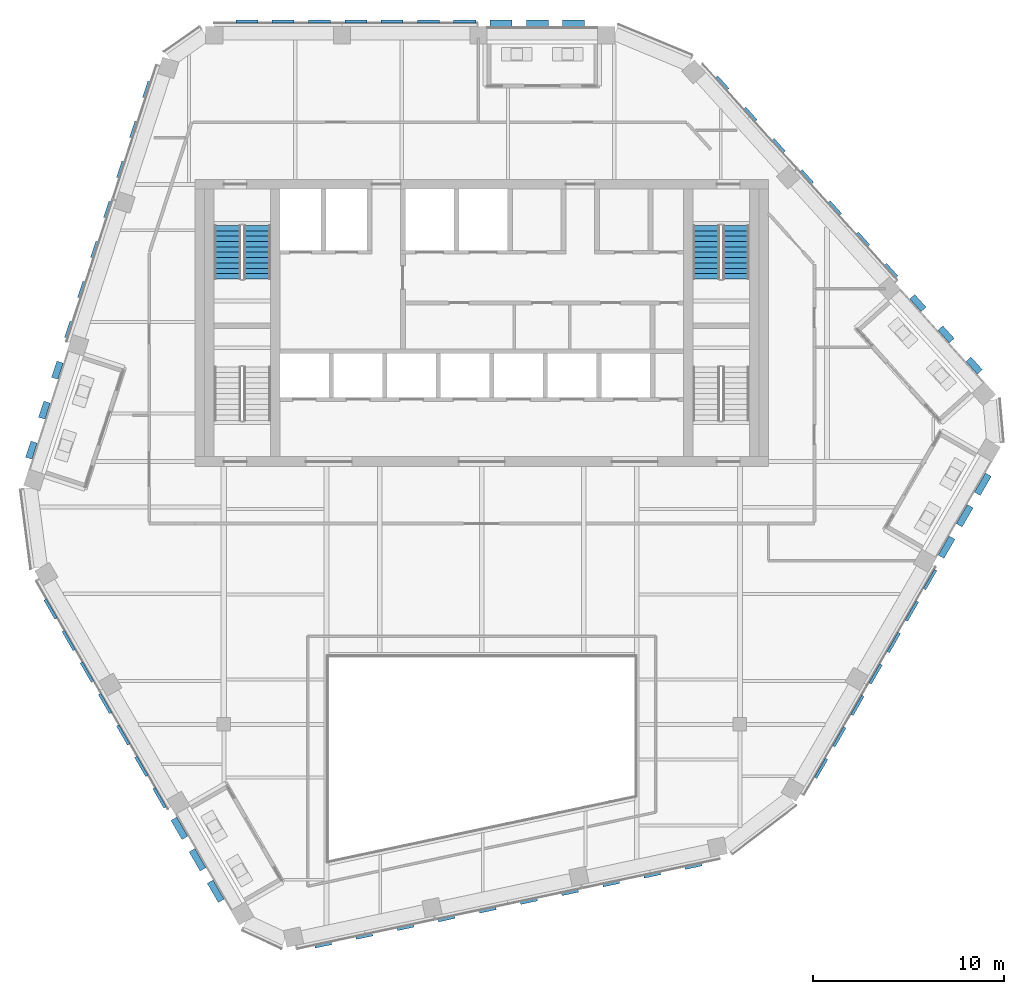
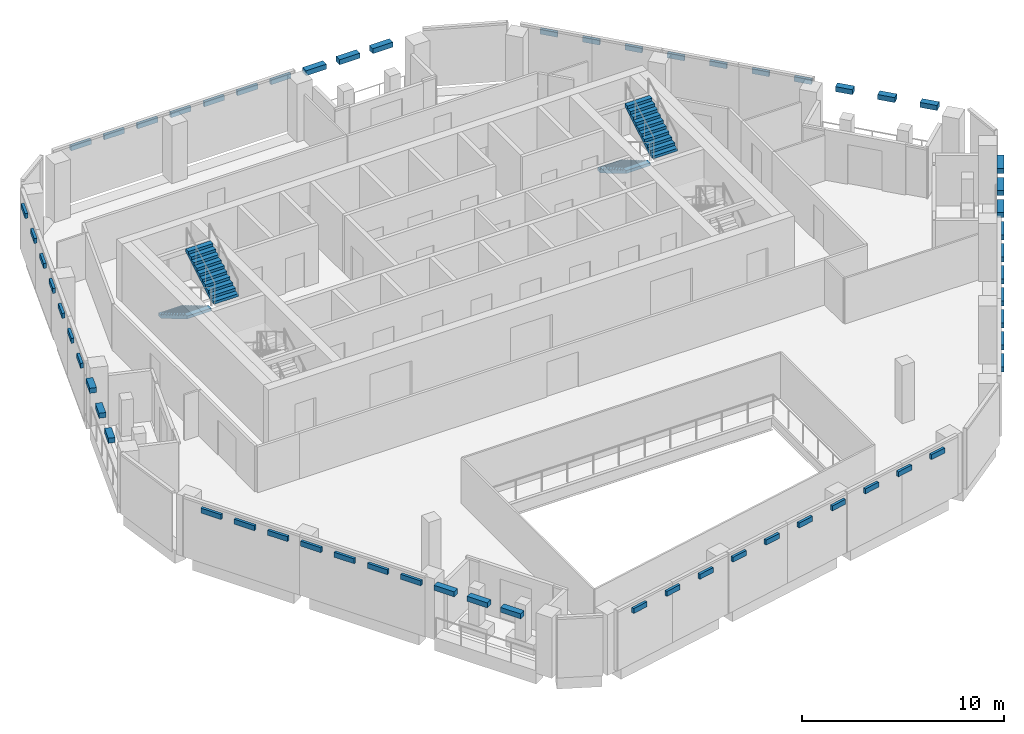
# One storey, part 16 of 22: 60 discrete accessories, 4 stair flights, 2 elements without a shape of their own.
"""IFC4 building model written with IfcOpenShell, lengths in metres."""

from ifc_helpers import new_model, si_unit, direction, frame, origin, origin_2d, place, context, subcontext, project, spatial, polyline, rectangle, outline, extrude, material, type_object, element, aggregate, save


model = new_model("IFC4")

# Units and contexts
model_context = context("Model", 3, precision=1e-05, world=origin(), true_north=direction((0.0, 1.0)))
body_context = subcontext(model_context, "Body", "Model", "MODEL_VIEW")
ifc_project = project(units=[si_unit("LENGTHUNIT", "METRE"), si_unit("AREAUNIT", "SQUARE_METRE"), si_unit("VOLUMEUNIT", "CUBIC_METRE"), si_unit("PLANEANGLEUNIT", "RADIAN"), si_unit("MASSUNIT", "GRAM", prefix="KILO")], contexts=[model_context])

# Site, building, storey
site_placement = place(None, origin())
site = spatial("IfcSite", under=ifc_project, at=site_placement, CompositionType="ELEMENT")
building_placement = place(site_placement, origin())
building = spatial("IfcBuilding", under=site, at=building_placement, Name="Isthmus Gate Tower", CompositionType="ELEMENT")
storey_placement = place(building_placement, frame((0.0, 0.0, 264.60009765625)))
storey = spatial("IfcBuildingStorey", under=building, at=storey_placement, Name="L67", CompositionType="ELEMENT", Elevation=264.60009765625)

# Stair, stair flights
ifc_material_1 = material(Name="Concrete f'c 40 MPa", Category="concrete")
stair_type = type_object("IfcStairType", Name="CORE STAIR 22 RISERS", PredefinedType="HALF_TURN_STAIR", material=ifc_material_1)
stair_1_placement = place(storey_placement, origin())
stair_1 = element("IfcStair", 1, at=stair_1_placement, inside=storey, type_object=stair_type, Name="L67 Exit Stair 1", PredefinedType="HALF_TURN_STAIR")
ifc_material_2 = material(Name="Concrete f'c 40 MPa", Category="concrete")
stair_flight_type = type_object("IfcStairFlightType", Name="STAIR FLIGHT RC 1400", PredefinedType="STRAIGHT", material=ifc_material_2)
stair_flight_1_placement = place(storey_placement, frame((-13.300048828125, 12.60009765625, 0.0), z_axis=(0.0, 0.0, 1.0), x_axis=(0.0, -1.0, 0.0)))
stair_flight_1 = element("IfcStairFlight", 2, at=stair_flight_1_placement, type_object=stair_flight_type, Name="ST1 flight 1", NumberOfRisers=11, NumberOfTreads=10, PredefinedType="STRAIGHT", RiserHeight=0.165909091, TreadLength=0.28, context=body_context, shape_type="SweptSolid", body=[
    extrude(outline(polyline([(0.0, 0.0), (0.0, 0.166015625), (0.280029296875, 0.166015625), (0.280029296875, 0.331787109375), (0.56005859375, 0.331787109375), (0.56005859375, 0.497802734375), (0.840087890625, 0.497802734375), (0.840087890625, 0.66357421875), (1.1201171875, 0.66357421875), (1.1201171875, 0.82958984375), (1.39990234375, 0.82958984375), (1.39990234375, 0.995361328125), (1.679931640625, 0.995361328125), (1.679931640625, 1.161376953125), (1.9599609375, 1.161376953125), (1.9599609375, 1.327392578125), (2.239990234375, 1.327392578125), (2.239990234375, 1.4931640625), (2.52001953125, 1.4931640625), (2.52001953125, 1.6591796875), (2.800048828125, 1.6591796875), (2.800048828125, 1.824951171875), (2.800048828125, 1.48486328125), (0.2939453125, 0.0), (0.0, 0.0)])), frame((0.0, 0.699951171875, 0.0), z_axis=(0.0, -1.0, 0.0), x_axis=(1.0, 0.0, 0.0)), (0.0, 0.0, 1.0), 1.39990234375),
])
stair_flight_2_placement = place(storey_placement, frame((-11.75, 9.800048828125, 1.824951171875), z_axis=(0.0, 0.0, 1.0), x_axis=(0.0, 1.0, 0.0)))
stair_flight_2 = element("IfcStairFlight", 3, at=stair_flight_2_placement, type_object=stair_flight_type, Name="ST1 flight 2", NumberOfRisers=11, NumberOfTreads=10, PredefinedType="STRAIGHT", RiserHeight=0.165909091, TreadLength=0.28, context=body_context, shape_type="SweptSolid", body=[
    extrude(outline(polyline([(0.0, 0.0), (0.0, 0.166015625), (0.280029296875, 0.166015625), (0.280029296875, 0.331787109375), (0.56005859375, 0.331787109375), (0.56005859375, 0.497802734375), (0.840087890625, 0.497802734375), (0.840087890625, 0.66357421875), (1.1201171875, 0.66357421875), (1.1201171875, 0.82958984375), (1.39990234375, 0.82958984375), (1.39990234375, 0.995361328125), (1.679931640625, 0.995361328125), (1.679931640625, 1.161376953125), (1.9599609375, 1.161376953125), (1.9599609375, 1.327392578125), (2.239990234375, 1.327392578125), (2.239990234375, 1.4931640625), (2.52001953125, 1.4931640625), (2.52001953125, 1.6591796875), (2.800048828125, 1.6591796875), (2.800048828125, 1.824951171875), (2.800048828125, 1.48486328125), (0.2939453125, 0.0), (0.0, 0.0)])), frame((0.0, 0.699951171875, 0.0), z_axis=(0.0, -1.0, 0.0), x_axis=(1.0, 0.0, 0.0)), (0.0, 0.0, 1.0), 1.39990234375),
])
aggregate(stair_1, [stair_flight_1, stair_flight_2])

stair_2_placement = place(storey_placement, origin())
stair_2 = element("IfcStair", 4, at=stair_2_placement, inside=storey, type_object=stair_type, Name="L67 Exit Stair 2", PredefinedType="HALF_TURN_STAIR")
stair_flight_3_placement = place(storey_placement, frame((11.75, 12.60009765625, 0.0), z_axis=(0.0, 0.0, 1.0), x_axis=(0.0, -1.0, 0.0)))
stair_flight_3 = element("IfcStairFlight", 5, at=stair_flight_3_placement, type_object=stair_flight_type, Name="ST2 flight 1", NumberOfRisers=11, NumberOfTreads=10, PredefinedType="STRAIGHT", RiserHeight=0.165909091, TreadLength=0.28, context=body_context, shape_type="SweptSolid", body=[
    extrude(outline(polyline([(0.0, 0.0), (0.0, 0.166015625), (0.280029296875, 0.166015625), (0.280029296875, 0.331787109375), (0.56005859375, 0.331787109375), (0.56005859375, 0.497802734375), (0.840087890625, 0.497802734375), (0.840087890625, 0.66357421875), (1.1201171875, 0.66357421875), (1.1201171875, 0.82958984375), (1.39990234375, 0.82958984375), (1.39990234375, 0.995361328125), (1.679931640625, 0.995361328125), (1.679931640625, 1.161376953125), (1.9599609375, 1.161376953125), (1.9599609375, 1.327392578125), (2.239990234375, 1.327392578125), (2.239990234375, 1.4931640625), (2.52001953125, 1.4931640625), (2.52001953125, 1.6591796875), (2.800048828125, 1.6591796875), (2.800048828125, 1.824951171875), (2.800048828125, 1.48486328125), (0.2939453125, 0.0), (0.0, 0.0)])), frame((0.0, 0.699951171875, 0.0), z_axis=(0.0, -1.0, 0.0), x_axis=(1.0, 0.0, 0.0)), (0.0, 0.0, 1.0), 1.39990234375),
])
stair_flight_4_placement = place(storey_placement, frame((13.300048828125, 9.800048828125, 1.824951171875), z_axis=(0.0, 0.0, 1.0), x_axis=(0.0, 1.0, 0.0)))
stair_flight_4 = element("IfcStairFlight", 6, at=stair_flight_4_placement, type_object=stair_flight_type, Name="ST2 flight 2", NumberOfRisers=11, NumberOfTreads=10, PredefinedType="STRAIGHT", RiserHeight=0.165909091, TreadLength=0.28, context=body_context, shape_type="SweptSolid", body=[
    extrude(outline(polyline([(0.0, 0.0), (0.0, 0.166015625), (0.280029296875, 0.166015625), (0.280029296875, 0.331787109375), (0.56005859375, 0.331787109375), (0.56005859375, 0.497802734375), (0.840087890625, 0.497802734375), (0.840087890625, 0.66357421875), (1.1201171875, 0.66357421875), (1.1201171875, 0.82958984375), (1.39990234375, 0.82958984375), (1.39990234375, 0.995361328125), (1.679931640625, 0.995361328125), (1.679931640625, 1.161376953125), (1.9599609375, 1.161376953125), (1.9599609375, 1.327392578125), (2.239990234375, 1.327392578125), (2.239990234375, 1.4931640625), (2.52001953125, 1.4931640625), (2.52001953125, 1.6591796875), (2.800048828125, 1.6591796875), (2.800048828125, 1.824951171875), (2.800048828125, 1.48486328125), (0.2939453125, 0.0), (0.0, 0.0)])), frame((0.0, 0.699951171875, 0.0), z_axis=(0.0, -1.0, 0.0), x_axis=(1.0, 0.0, 0.0)), (0.0, 0.0, 1.0), 1.39990234375),
])
aggregate(stair_2, [stair_flight_3, stair_flight_4])

# Discrete accessories
ifc_material_3 = material(Name="Structural steel ASTM A572 Gr 50, white paint system", Category="steel")
discrete_accessory_type_1 = type_object("IfcDiscreteAccessoryType", Name="FIN BRACKET 1155 X 150 X 300", PredefinedType="BRACKET", material=ifc_material_3)
for number, where, z_axis, x_axis, name in (
    (7, (-0.892333984375, 23.27490234375, 3.10009765625), (0.0, 0.0, 1.0), (0.0, 1.0, 0.0), "FIN BRACKET"),
    (8, (-2.792236328125, 23.27490234375, 3.10009765625), (0.0, 0.0, 1.0), (0.0, 1.0, 0.0), "FIN BRACKET"),
    (9, (-4.6923828125, 23.27490234375, 3.10009765625), (0.0, 0.0, 1.0), (0.0, 1.0, 0.0), "FIN BRACKET"),
    (10, (-6.59228515625, 23.27490234375, 3.10009765625), (0.0, 0.0, 1.0), (0.0, 1.0, 0.0), "FIN BRACKET"),
    (11, (-8.492431640625, 23.27490234375, 3.10009765625), (0.0, 0.0, 1.0), (0.0, 1.0, 0.0), "FIN BRACKET"),
    (12, (-10.392333984375, 23.27490234375, 3.10009765625), (0.0, 0.0, 1.0), (0.0, 1.0, 0.0), "FIN BRACKET"),
    (13, (-12.292236328125, 23.27490234375, 3.10009765625), (0.0, 0.0, 1.0), (0.0, 1.0, 0.0), "FIN BRACKET"),
    (14, (-22.560546875, -7.473876953125, 3.10009765625), (0.0, 0.0, 1.0), (-0.866025403784, -0.5, 0.0), "FIN BRACKET"),
    (15, (-21.610595703125, -9.119384765625, 3.10009765625), (0.0, 0.0, 1.0), (-0.866025403784, -0.5, 0.0), "FIN BRACKET"),
    (16, (-20.66064453125, -10.764892578125, 3.10009765625), (0.0, 0.0, 1.0), (-0.866025403784, -0.5, 0.0), "FIN BRACKET"),
    (17, (-19.71044921875, -12.410400390625, 3.10009765625), (0.0, 0.0, 1.0), (-0.866025403784, -0.5, 0.0), "FIN BRACKET"),
    (18, (-18.760498046875, -14.0556640625, 3.10009765625), (0.0, 0.0, 1.0), (-0.866025403784, -0.5, 0.0), "FIN BRACKET"),
    (19, (-17.810546875, -15.701171875, 3.10009765625), (0.0, 0.0, 1.0), (-0.866025403784, -0.5, 0.0), "FIN BRACKET"),
    (20, (-16.860595703125, -17.3466796875, 3.10009765625), (0.0, 0.0, 1.0), (-0.866025403784, -0.5, 0.0), "FIN BRACKET"),
    (21, (17.7529296875, -15.801025390625, 3.10009765625), (0.0, 0.0, 1.0), (0.866025403784, -0.5, 0.0), "FIN BRACKET"),
    (22, (18.702880859375, -14.155517578125, 3.10009765625), (0.0, 0.0, 1.0), (0.866025403784, -0.5, 0.0), "FIN BRACKET"),
    (23, (19.65283203125, -12.51025390625, 3.10009765625), (0.0, 0.0, 1.0), (0.866025403784, -0.5, 0.0), "FIN BRACKET"),
    (24, (20.60302734375, -10.86474609375, 3.10009765625), (0.0, 0.0, 1.0), (0.866025403784, -0.5, 0.0), "FIN BRACKET"),
    (25, (21.552978515625, -9.21923828125, 3.10009765625), (0.0, 0.0, 1.0), (0.866025403784, -0.5, 0.0), "FIN BRACKET"),
    (26, (22.5029296875, -7.57373046875, 3.10009765625), (0.0, 0.0, 1.0), (0.866025403784, -0.5, 0.0), "FIN BRACKET"),
    (27, (23.452880859375, -5.928466796875, 3.10009765625), (0.0, 0.0, 1.0), (0.866025403784, -0.5, 0.0), "FIN BRACKET"),
):
    element("IfcDiscreteAccessory", number, at=place(storey_placement, frame(where, z_axis=z_axis, x_axis=x_axis)), inside=storey, type_object=discrete_accessory_type_1, Name=name, PredefinedType="BRACKET", context=body_context, shape_type="SweptSolid", body=[
        extrude(rectangle(XDim=0.14990234375, YDim=1.15478515625, at=origin_2d()), origin(), (0.0, 0.0, 1.0), 0.300048828125),
    ])
ifc_material_4 = material(Name="Structural steel ASTM A572 Gr 50, white paint system", Category="steel")
discrete_accessory_type_2 = type_object("IfcDiscreteAccessoryType", Name="FIN BRACKET 1155 X 350 X 300", PredefinedType="BRACKET", material=ifc_material_4)
for number, where, z_axis, x_axis, name in (
    (28, (4.8076171875, 23.175048828125, 3.10009765625), (0.0, 0.0, 1.0), (0.0, 1.0, 0.0), "FIN BRACKET"),
    (29, (2.90771484375, 23.175048828125, 3.10009765625), (0.0, 0.0, 1.0), (0.0, 1.0, 0.0), "FIN BRACKET"),
    (30, (1.007568359375, 23.175048828125, 3.10009765625), (0.0, 0.0, 1.0), (0.0, 1.0, 0.0), "FIN BRACKET"),
    (31, (-15.823974609375, -18.942138671875, 3.10009765625), (0.0, 0.0, 1.0), (-0.866025403784, -0.5, 0.0), "FIN BRACKET"),
    (32, (-14.8740234375, -20.587646484375, 3.10009765625), (0.0, 0.0, 1.0), (-0.866025403784, -0.5, 0.0), "FIN BRACKET"),
    (33, (-13.924072265625, -22.23291015625, 3.10009765625), (0.0, 0.0, 1.0), (-0.866025403784, -0.5, 0.0), "FIN BRACKET"),
    (34, (24.31640625, -4.23291015625, 3.10009765625), (0.0, 0.0, 1.0), (0.866025403784, -0.5, 0.0), "FIN BRACKET"),
    (35, (25.266357421875, -2.58740234375, 3.10009765625), (0.0, 0.0, 1.0), (0.866025403784, -0.5, 0.0), "FIN BRACKET"),
    (36, (26.21630859375, -0.94189453125, 3.10009765625), (0.0, 0.0, 1.0), (0.866025403784, -0.5, 0.0), "FIN BRACKET"),
):
    element("IfcDiscreteAccessory", number, at=place(storey_placement, frame(where, z_axis=z_axis, x_axis=x_axis)), inside=storey, type_object=discrete_accessory_type_2, Name=name, PredefinedType="BRACKET", context=body_context, shape_type="SweptSolid", body=[
        extrude(rectangle(XDim=0.35009765625, YDim=1.15478515625, at=origin_2d()), origin(), (0.0, 0.0, 1.0), 0.300048828125),
    ])
ifc_material_5 = material(Name="Structural steel ASTM A572 Gr 50, white paint system", Category="steel")
discrete_accessory_type_3 = type_object("IfcDiscreteAccessoryType", Name="FIN BRACKET 890 X 150 X 300", PredefinedType="BRACKET", material=ifc_material_5)
for number, where, z_axis, x_axis, name in (
    (37, (-17.541015625, 19.70703125, 3.10009765625), (0.0, 0.0, 1.0), (-0.951056516295, 0.309016994375, 0.0), "FIN BRACKET"),
    (38, (-18.220947265625, 17.61474609375, 3.10009765625), (0.0, 0.0, 1.0), (-0.951056516295, 0.309016994375, 0.0), "FIN BRACKET"),
    (39, (-18.90087890625, 15.522216796875, 3.10009765625), (0.0, 0.0, 1.0), (-0.951056516295, 0.309016994375, 0.0), "FIN BRACKET"),
    (40, (-19.58056640625, 13.429931640625, 3.10009765625), (0.0, 0.0, 1.0), (-0.951056516295, 0.309016994375, 0.0), "FIN BRACKET"),
    (41, (-20.260498046875, 11.337646484375, 3.10009765625), (0.0, 0.0, 1.0), (-0.951056516295, 0.309016994375, 0.0), "FIN BRACKET"),
    (42, (-20.9404296875, 9.245361328125, 3.10009765625), (0.0, 0.0, 1.0), (-0.951056516295, 0.309016994375, 0.0), "FIN BRACKET"),
    (43, (-21.6201171875, 7.153076171875, 3.10009765625), (0.0, 0.0, 1.0), (-0.951056516295, 0.309016994375, 0.0), "FIN BRACKET"),
    (44, (-8.296142578125, -25.04443359375, 3.10009765625), (0.0, 0.0, 1.0), (0.207911690818, -0.978147600734, 0.0), "FIN BRACKET"),
    (45, (-6.144287109375, -24.587158203125, 3.10009765625), (0.0, 0.0, 1.0), (0.207911690818, -0.978147600734, 0.0), "FIN BRACKET"),
    (46, (-3.992431640625, -24.129638671875, 3.10009765625), (0.0, 0.0, 1.0), (0.207911690818, -0.978147600734, 0.0), "FIN BRACKET"),
    (47, (-1.84033203125, -23.67236328125, 3.10009765625), (0.0, 0.0, 1.0), (0.207911690818, -0.978147600734, 0.0), "FIN BRACKET"),
    (48, (0.3115234375, -23.21484375, 3.10009765625), (0.0, 0.0, 1.0), (0.207911690818, -0.978147600734, 0.0), "FIN BRACKET"),
    (49, (2.46337890625, -22.757568359375, 3.10009765625), (0.0, 0.0, 1.0), (0.207911690818, -0.978147600734, 0.0), "FIN BRACKET"),
    (50, (4.615478515625, -22.300048828125, 3.10009765625), (0.0, 0.0, 1.0), (0.207911690818, -0.978147600734, 0.0), "FIN BRACKET"),
    (51, (6.767333984375, -21.8427734375, 3.10009765625), (0.0, 0.0, 1.0), (0.207911690818, -0.978147600734, 0.0), "FIN BRACKET"),
    (52, (8.919189453125, -21.38525390625, 3.10009765625), (0.0, 0.0, 1.0), (0.207911690818, -0.978147600734, 0.0), "FIN BRACKET"),
    (53, (11.071044921875, -20.927978515625, 3.10009765625), (0.0, 0.0, 1.0), (0.207911690818, -0.978147600734, 0.0), "FIN BRACKET"),
    (54, (21.421142578125, 10.242431640625, 3.10009765625), (0.0, 0.0, 1.0), (0.743144825477, 0.669130606359, 0.0), "FIN BRACKET"),
    (55, (19.948974609375, 11.877197265625, 3.10009765625), (0.0, 0.0, 1.0), (0.743144825477, 0.669130606359, 0.0), "FIN BRACKET"),
    (56, (18.476806640625, 13.51220703125, 3.10009765625), (0.0, 0.0, 1.0), (0.743144825477, 0.669130606359, 0.0), "FIN BRACKET"),
    (57, (17.0048828125, 15.14697265625, 3.10009765625), (0.0, 0.0, 1.0), (0.743144825477, 0.669130606359, 0.0), "FIN BRACKET"),
    (58, (15.53271484375, 16.781982421875, 3.10009765625), (0.0, 0.0, 1.0), (0.743144825477, 0.669130606359, 0.0), "FIN BRACKET"),
    (59, (14.060546875, 18.4169921875, 3.10009765625), (0.0, 0.0, 1.0), (0.743144825477, 0.669130606359, 0.0), "FIN BRACKET"),
    (60, (12.588623046875, 20.0517578125, 3.10009765625), (0.0, 0.0, 1.0), (0.743144825477, 0.669130606359, 0.0), "FIN BRACKET"),
):
    element("IfcDiscreteAccessory", number, at=place(storey_placement, frame(where, z_axis=z_axis, x_axis=x_axis)), inside=storey, type_object=discrete_accessory_type_3, Name=name, PredefinedType="BRACKET", context=body_context, shape_type="SweptSolid", body=[
        extrude(rectangle(XDim=0.14990234375, YDim=0.890380859375, at=origin_2d()), origin(), (0.0, 0.0, 1.0), 0.300048828125),
    ])
ifc_material_6 = material(Name="Structural steel ASTM A572 Gr 50, white paint system", Category="steel")
discrete_accessory_type_4 = type_object("IfcDiscreteAccessoryType", Name="FIN BRACKET 890 X 350 X 300", PredefinedType="BRACKET", material=ifc_material_6)
for number, where, z_axis, x_axis, name in (
    (61, (-22.204833984375, 5.02978515625, 3.10009765625), (0.0, 0.0, 1.0), (-0.951056516295, 0.309016994375, 0.0), "FIN BRACKET"),
    (62, (-22.884765625, 2.9375, 3.10009765625), (0.0, 0.0, 1.0), (-0.951056516295, 0.309016994375, 0.0), "FIN BRACKET"),
    (63, (-23.564453125, 0.84521484375, 3.10009765625), (0.0, 0.0, 1.0), (-0.951056516295, 0.309016994375, 0.0), "FIN BRACKET"),
    (64, (25.762939453125, 5.270751953125, 3.10009765625), (0.0, 0.0, 1.0), (0.743144825477, 0.669130606359, 0.0), "FIN BRACKET"),
    (65, (24.291015625, 6.905517578125, 3.10009765625), (0.0, 0.0, 1.0), (0.743144825477, 0.669130606359, 0.0), "FIN BRACKET"),
    (66, (22.81884765625, 8.54052734375, 3.10009765625), (0.0, 0.0, 1.0), (0.743144825477, 0.669130606359, 0.0), "FIN BRACKET"),
):
    element("IfcDiscreteAccessory", number, at=place(storey_placement, frame(where, z_axis=z_axis, x_axis=x_axis)), inside=storey, type_object=discrete_accessory_type_4, Name=name, PredefinedType="BRACKET", context=body_context, shape_type="SweptSolid", body=[
        extrude(rectangle(XDim=0.35009765625, YDim=0.890380859375, at=origin_2d()), origin(), (0.0, 0.0, 1.0), 0.300048828125),
    ])

save(model, "model.ifc")
